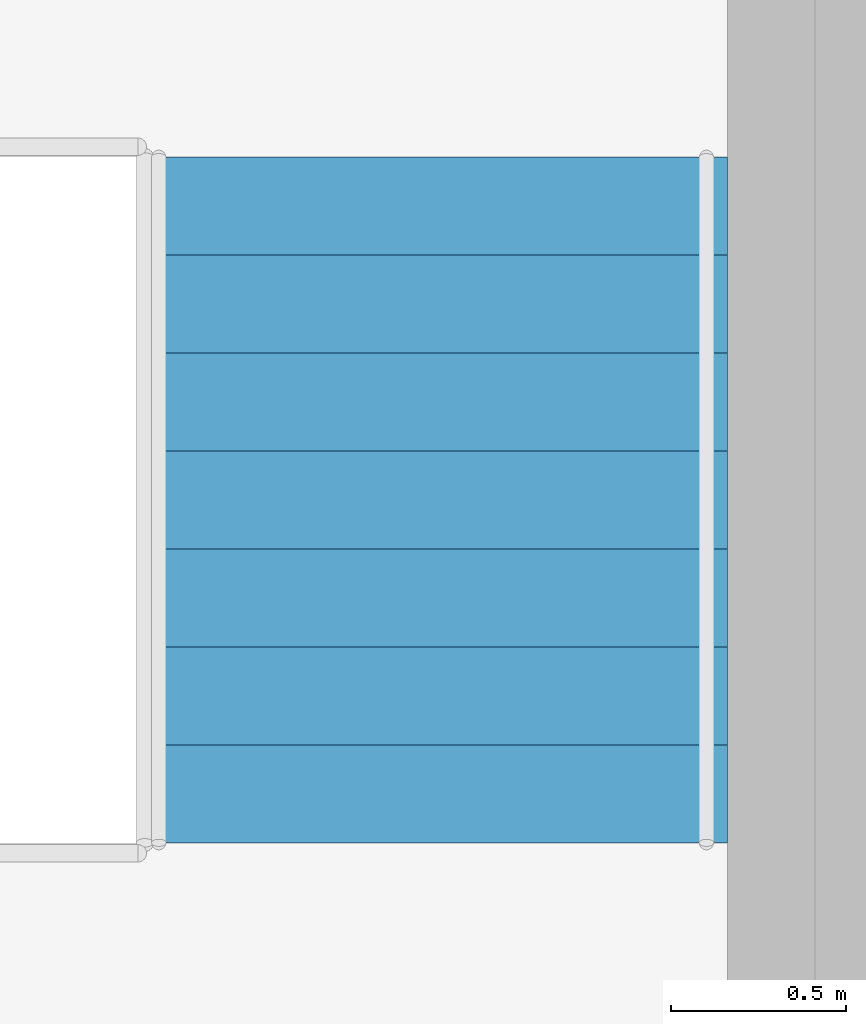
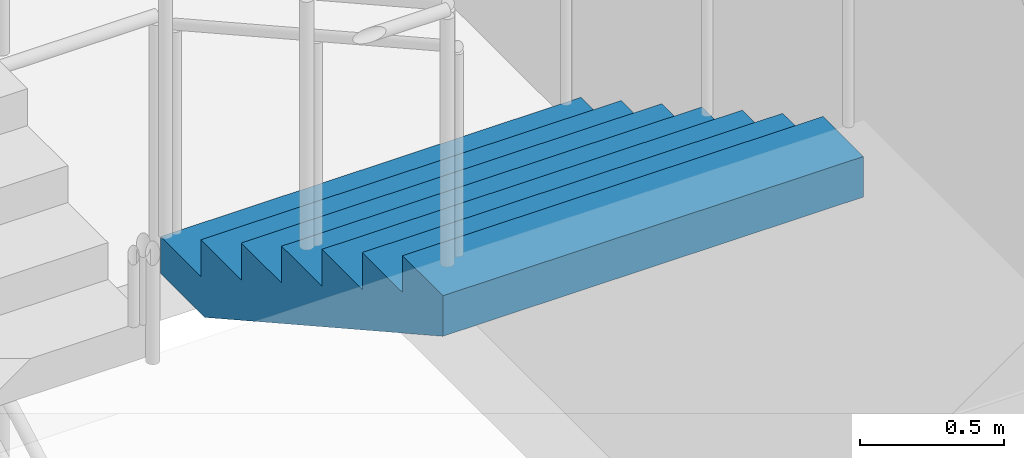
# One storey, part 30 of 37: 1 stair flight, 1 element without a shape of its own.
"""IFC4 building model written with IfcOpenShell, lengths in metres."""

import ifcopenshell
import ifcopenshell.guid

model = None  # the IFC model being written
_history = None  # IfcOwnerHistory: only IFC2X3 demands one
_inside = {}  # id of a spatial element -> (the spatial element, [elements in it])
_under = {}  # id of a project, library or spatial element -> (it, [spatial elements below it])
_declared = {}  # id of a project -> (the project, [libraries it declares])
_typed = {}  # id of a type object -> (the type object, [elements of that type])
_made_of = {}  # id of a material, layer set ... -> (it, [elements and type objects made of it])


def new_model(schema):
    """Start an empty IFC model of exactly this schema.

    Asked for "IFC4X3", IfcOpenShell would pick the latest addendum, in which some entities
    have other attributes; the version numbers below select the first issue.
    IFC2X3 requires an IfcOwnerHistory on every rooted entity: one is made here for all.
    """
    global model, _history
    if schema == "IFC4X3":
        model = ifcopenshell.file(schema_version=(4, 3, 0, 0))
    else:
        model = ifcopenshell.file(schema=schema)
    _inside.clear()
    _under.clear()
    _declared.clear()
    _typed.clear()
    _made_of.clear()
    _history = None
    if model.schema == "IFC2X3":
        org = make("IfcOrganization", Name="unknown")
        user = make(
            "IfcPersonAndOrganization",
            ThePerson=make("IfcPerson", FamilyName="unknown"),
            TheOrganization=org,
        )
        app = make(
            "IfcApplication",
            ApplicationDeveloper=org,
            Version="unknown",
            ApplicationFullName="unknown",
            ApplicationIdentifier="unknown",
        )
        _history = make(
            "IfcOwnerHistory",
            OwningUser=user,
            OwningApplication=app,
            ChangeAction="ADDED",
            CreationDate=0,
        )
    return model


def make(cls, **values):
    """One entity of the class cls with the attributes given. An attribute that is None is left unset."""
    return model.create_entity(
        cls, **{name: value for name, value in values.items() if value is not None}
    )


def rooted(cls, **values):
    """An entity with a GlobalId (a new one), such as an element, a storey or a relation."""
    return make(cls, GlobalId=ifcopenshell.guid.new(), OwnerHistory=_history, **values)


def si_unit(unit_type, name, prefix=None):
    """IfcSIUnit, for example si_unit("LENGTHUNIT", "METRE", prefix="MILLI")."""
    return make("IfcSIUnit", UnitType=unit_type, Prefix=prefix, Name=name)


def assignment(units):
    """IfcUnitAssignment: the units of a project."""
    return None if units is None else make("IfcUnitAssignment", Units=units)


def point(xyz):
    """IfcCartesianPoint."""
    return None if xyz is None else make("IfcCartesianPoint", Coordinates=xyz)


def direction(xyz):
    """IfcDirection."""
    return None if xyz is None else make("IfcDirection", DirectionRatios=xyz)


def frame(location, z_axis=None, x_axis=None):
    """IfcAxis2Placement3D, a coordinate frame: its origin and axes. An axis left out is left unset."""
    return make(
        "IfcAxis2Placement3D",
        Location=point(location),
        Axis=direction(z_axis),
        RefDirection=direction(x_axis),
    )


def origin():
    """The frame at (0, 0, 0) with its axes left unset."""
    return frame((0.0, 0.0, 0.0))


def place(relative_to, where):
    """IfcLocalPlacement: puts the frame where relative to a parent placement (None: the world)."""
    return make(
        "IfcLocalPlacement", PlacementRelTo=relative_to, RelativePlacement=where
    )


def context(
    kind, dimensions, precision=None, world=None, true_north=None, identifier=None
):
    """IfcGeometricRepresentationContext, for example the 3D "Model" context."""
    return make(
        "IfcGeometricRepresentationContext",
        ContextIdentifier=identifier,
        ContextType=kind,
        CoordinateSpaceDimension=dimensions,
        Precision=precision,
        WorldCoordinateSystem=world,
        TrueNorth=true_north,
    )


def subcontext(parent, identifier, kind, view, scale=None):
    """IfcGeometricRepresentationSubContext, for example "Body" below "Model"."""
    return make(
        "IfcGeometricRepresentationSubContext",
        ContextIdentifier=identifier,
        ContextType=kind,
        ParentContext=parent,
        TargetScale=scale,
        TargetView=view,
    )


def project(units=None, contexts=None):
    """IfcProject with its units and contexts."""
    return rooted(
        "IfcProject",
        Name="project",
        RepresentationContexts=contexts,
        UnitsInContext=assignment(units),
    )


def spatial(cls, under=None, at=None, **own):
    """A site, building, storey or space (cls), placed at a placement, below another one or the project."""
    s = rooted(cls, ObjectPlacement=at, **own)
    if under is not None:
        _under.setdefault(under.id(), (under, []))[1].append(s)
    return s


def point_list(points):
    """IfcCartesianPointList2D or 3D."""
    cls = (
        "IfcCartesianPointList2D" if len(points[0]) == 2 else "IfcCartesianPointList3D"
    )
    return make(cls, CoordList=points)


def triangles(points, corners, closed=None, point_numbers=None):
    """IfcTriangulatedFaceSet: each triangle names its three corners, points numbered from 1."""
    return make(
        "IfcTriangulatedFaceSet",
        Coordinates=point_list(points),
        Closed=closed,
        CoordIndex=corners,
        PnIndex=point_numbers,
    )


def shape(context_of_items, identifier, shape_type, items):
    """IfcShapeRepresentation: the items that make up one representation, for example the "Body"."""
    return make(
        "IfcShapeRepresentation",
        ContextOfItems=context_of_items,
        RepresentationIdentifier=identifier,
        RepresentationType=shape_type,
        Items=items,
    )


def material(Name=None, Category=None):
    """IfcMaterial."""
    return make("IfcMaterial", Name=Name, Category=Category)


def made_of(thing, what):
    """Note that an element or type object is made of a material, layer set ...; save() writes the relation."""
    if what is not None:
        _made_of.setdefault(what.id(), (what, []))[1].append(thing)
    return thing


def type_object(cls, material=None, **own):
    """A type object (cls), such as IfcWallType, which elements share."""
    return made_of(rooted(cls, **own), material)


def element(
    cls,
    number,
    at=None,
    inside=None,
    cuts=None,
    type_object=None,
    material=None,
    context=None,
    identifier="Body",
    shape_type=None,
    held_by="IfcProductDefinitionShape",
    body=None,
    shapes=None,
    **own,
):
    """One element of the class cls, such as IfcWall. Its Tag is "e" and its number.

    at: its placement. inside: the storey or other place that contains it. cuts: it is an
    opening in that element (IfcRelVoidsElement). A single representation is given by context,
    identifier, shape_type and body (its items); several are given by shapes. held_by: the class
    of the entity that holds the representations. save() writes the other relations.
    """
    e = rooted(cls, Tag="e%d" % number, ObjectPlacement=at, **own)
    if body is not None:
        shapes = [shape(context, identifier, shape_type, body)]
    if shapes is not None:
        e.Representation = make(held_by, Representations=shapes)
    if inside is not None:
        _inside.setdefault(inside.id(), (inside, []))[1].append(e)
    if cuts is not None:
        rooted(
            "IfcRelVoidsElement", RelatingBuildingElement=cuts, RelatedOpeningElement=e
        )
    if type_object is not None:
        _typed.setdefault(type_object.id(), (type_object, []))[1].append(e)
    return made_of(e, material)


def aggregate(whole, parts):
    """IfcRelAggregates: a whole, such as a stair, and the parts it consists of."""
    return rooted("IfcRelAggregates", RelatingObject=whole, RelatedObjects=parts)


def save(model, path):
    """Write the relations noted so far, then the file.

    IfcRelAggregates (storeys below a building ...), IfcRelContainedInSpatialStructure (elements
    in a storey), IfcRelDefinesByType, IfcRelAssociatesMaterial and IfcRelDeclares: one each for
    every whole, place, type object, material and project.
    """
    for whole, parts in _under.values():
        aggregate(whole, parts)
    for where, things in _inside.values():
        rooted(
            "IfcRelContainedInSpatialStructure",
            RelatedElements=things,
            RelatingStructure=where,
        )
    for kind, things in _typed.values():
        rooted("IfcRelDefinesByType", RelatedObjects=things, RelatingType=kind)
    for what, things in _made_of.values():
        rooted("IfcRelAssociatesMaterial", RelatedObjects=things, RelatingMaterial=what)
    for by, libraries in _declared.values():
        rooted("IfcRelDeclares", RelatingContext=by, RelatedDefinitions=libraries)
    model.write(path)


model = new_model("IFC4")

# Units and contexts
model_context = context("Model", 3, precision=1e-05, world=origin(), true_north=direction((0.0, 1.0)))
body_context = subcontext(model_context, "Body", "Model", "MODEL_VIEW")
ifc_project = project(units=[si_unit("LENGTHUNIT", "METRE"), si_unit("AREAUNIT", "SQUARE_METRE"), si_unit("VOLUMEUNIT", "CUBIC_METRE"), si_unit("PLANEANGLEUNIT", "RADIAN"), si_unit("MASSUNIT", "GRAM", prefix="KILO")], contexts=[model_context])

# Site, building, storey
site_placement = place(None, origin())
site = spatial("IfcSite", under=ifc_project, at=site_placement, CompositionType="ELEMENT")
building_placement = place(site_placement, origin())
building = spatial("IfcBuilding", under=site, at=building_placement, Name="Orbita Commons", CompositionType="ELEMENT")
storey_placement = place(building_placement, frame((0.0, 0.0, 6.0)))
storey = spatial("IfcBuildingStorey", under=building, at=storey_placement, Name="L01", CompositionType="ELEMENT", Elevation=6.0)

# Stair, stair flight
ifc_material_1 = material(Name="Precast concrete C40/50", Category="concrete")
stair_type = type_object("IfcStairType", Name="Podium exit stair 4 flights 8 risers 156", PredefinedType="HALF_TURN_STAIR", material=ifc_material_1)
stair_placement = place(storey_placement, origin())
stair = element("IfcStair", 1, at=stair_placement, inside=storey, type_object=stair_type, Name="Podium exit stair PS1 L01", PredefinedType="HALF_TURN_STAIR")
ifc_material_2 = material(Name="Precast concrete C40/50", Category="concrete")
stair_flight_type = type_object("IfcStairFlightType", Name="Podium stair flight 8 risers 156 x 1685", PredefinedType="STRAIGHT", material=ifc_material_2)
stair_flight_placement = place(storey_placement, frame((10.4326171875, 31.780029296875, 1.25), z_axis=(0.0, 0.0, 1.0), x_axis=(0.0, -1.0, 0.0)))
stair_flight = element("IfcStairFlight", 2, at=stair_flight_placement, type_object=stair_flight_type, Name="PS1 flight 2", NumberOfRisers=8, NumberOfTreads=7, PredefinedType="STRAIGHT", RiserHeight=0.15625, TreadLength=0.28, context=body_context, shape_type="Tessellation", body=[
    triangles([(0.0, 0.842529, 0.0), (0.0, 0.842529, 0.019531), (0.0, 0.702108, 0.019531), (0.0, 0.702108, 0.0), (0.0, 0.561686, 0.019531), (0.0, 0.561686, 0.0), (0.0, 0.421265, 0.019531), (0.0, 0.421265, 0.0), (0.0, 0.280843, 0.019531), (0.0, 0.280843, 0.0), (0.0, 0.140422, 0.019531), (0.0, 0.140422, 0.0), (0.0, 0.0, 0.019531), (0.0, 0.0, 0.0), (0.0, -0.140422, 0.019531), (0.0, -0.140422, 0.0), (0.0, -0.280843, 0.019531), (0.0, -0.280843, 0.0), (0.0, -0.421265, 0.019531), (0.0, -0.421265, 0.0), (0.0, -0.561686, 0.019531), (0.0, -0.561686, 0.0), (0.0, -0.702108, 0.019531), (0.0, -0.702108, 0.0), (0.0, -0.842529, 0.019531), (0.0, -0.842529, 0.0), (0.0, 0.842529, 0.039062), (0.0, 0.702108, 0.039062), (0.0, 0.561686, 0.039062), (0.0, 0.421265, 0.039062), (0.0, 0.280843, 0.039062), (0.0, 0.140422, 0.039062), (0.0, 0.0, 0.039062), (0.0, -0.140422, 0.039062), (0.0, -0.280843, 0.039062), (0.0, -0.421265, 0.039062), (0.0, -0.561686, 0.039062), (0.0, -0.702108, 0.039062), (0.0, -0.842529, 0.039062), (0.0, 0.842529, 0.058594), (0.0, 0.702108, 0.058594), (0.0, 0.561686, 0.058594), (0.0, 0.421265, 0.058594), (0.0, 0.280843, 0.058594), (0.0, 0.140422, 0.058594), (0.0, 0.0, 0.058594), (0.0, -0.140422, 0.058594), (0.0, -0.280843, 0.058594), (0.0, -0.421265, 0.058594), (0.0, -0.561686, 0.058594), (0.0, -0.702108, 0.058594), (0.0, -0.842529, 0.058594), (0.0, 0.842529, 0.078125), (0.0, 0.702108, 0.078125), (0.0, 0.561686, 0.078125), (0.0, 0.421265, 0.078125), (0.0, 0.280843, 0.078125), (0.0, 0.140422, 0.078125), (0.0, 0.0, 0.078125), (0.0, -0.140422, 0.078125), (0.0, -0.280843, 0.078125), (0.0, -0.421265, 0.078125), (0.0, -0.561686, 0.078125), (0.0, -0.702108, 0.078125), (0.0, -0.842529, 0.078125), (0.0, 0.842529, 0.097656), (0.0, 0.702108, 0.097656), (0.0, 0.561686, 0.097656), (0.0, 0.421265, 0.097656), (0.0, 0.280843, 0.097656), (0.0, 0.140422, 0.097656), (0.0, 0.0, 0.097656), (0.0, -0.140422, 0.097656), (0.0, -0.280843, 0.097656), (0.0, -0.421265, 0.097656), (0.0, -0.561686, 0.097656), (0.0, -0.702108, 0.097656), (0.0, -0.842529, 0.097656), (0.0, 0.842529, 0.117188), (0.0, 0.702108, 0.117188), (0.0, 0.561686, 0.117188), (0.0, 0.421265, 0.117188), (0.0, 0.280843, 0.117188), (0.0, 0.140422, 0.117188), (0.0, 0.0, 0.117188), (0.0, -0.140422, 0.117188), (0.0, -0.280843, 0.117188), (0.0, -0.421265, 0.117188), (0.0, -0.561686, 0.117188), (0.0, -0.702108, 0.117188), (0.0, -0.842529, 0.117188), (0.0, 0.842529, 0.136719), (0.0, 0.702108, 0.136719), (0.0, 0.561686, 0.136719), (0.0, 0.421265, 0.136719), (0.0, 0.280843, 0.136719), (0.0, 0.140422, 0.136719), (0.0, 0.0, 0.136719), (0.0, -0.140422, 0.136719), (0.0, -0.280843, 0.136719), (0.0, -0.421265, 0.136719), (0.0, -0.561686, 0.136719), (0.0, -0.702108, 0.136719), (0.0, -0.842529, 0.136719), (0.0, 0.842529, 0.15625), (0.0, 0.702108, 0.15625), (0.0, 0.561686, 0.15625), (0.0, 0.421265, 0.15625), (0.0, 0.280843, 0.15625), (0.0, 0.140422, 0.15625), (0.0, 0.0, 0.15625), (0.0, -0.140422, 0.15625), (0.0, -0.280843, 0.15625), (0.0, -0.421265, 0.15625), (0.0, -0.561686, 0.15625), (0.0, -0.702108, 0.15625), (0.0, -0.842529, 0.15625), (0.28, 0.842529, 0.15625), (0.28, 0.702108, 0.15625), (0.28, 0.561686, 0.15625), (0.28, 0.421265, 0.15625), (0.28, 0.280843, 0.15625), (0.28, 0.140422, 0.15625), (0.28, 0.0, 0.15625), (0.28, -0.140422, 0.15625), (0.28, -0.280843, 0.15625), (0.28, -0.421265, 0.15625), (0.28, -0.561686, 0.15625), (0.28, -0.702108, 0.15625), (0.28, -0.842529, 0.15625), (0.28, 0.842529, 0.3125), (0.28, 0.702108, 0.3125), (0.28, 0.561686, 0.3125), (0.28, 0.421265, 0.3125), (0.28, 0.280843, 0.3125), (0.28, 0.140422, 0.3125), (0.28, 0.0, 0.3125), (0.28, -0.140422, 0.3125), (0.28, -0.280843, 0.3125), (0.28, -0.421265, 0.3125), (0.28, -0.561686, 0.3125), (0.28, -0.702108, 0.3125), (0.28, -0.842529, 0.3125), (0.56, 0.842529, 0.3125), (0.56, 0.702108, 0.3125), (0.56, 0.561686, 0.3125), (0.56, 0.421265, 0.3125), (0.56, 0.280843, 0.3125), (0.56, 0.140422, 0.3125), (0.56, 0.0, 0.3125), (0.56, -0.140422, 0.3125), (0.56, -0.280843, 0.3125), (0.56, -0.421265, 0.3125), (0.56, -0.561686, 0.3125), (0.56, -0.702108, 0.3125), (0.56, -0.842529, 0.3125), (0.56, 0.842529, 0.46875), (0.56, 0.702108, 0.46875), (0.56, 0.561686, 0.46875), (0.56, 0.421265, 0.46875), (0.56, 0.280843, 0.46875), (0.56, 0.140422, 0.46875), (0.56, 0.0, 0.46875), (0.56, -0.140422, 0.46875), (0.56, -0.280843, 0.46875), (0.56, -0.421265, 0.46875), (0.56, -0.561686, 0.46875), (0.56, -0.702108, 0.46875), (0.56, -0.842529, 0.46875), (0.84, 0.842529, 0.46875), (0.84, 0.702108, 0.46875), (0.84, 0.561686, 0.46875), (0.84, 0.421265, 0.46875), (0.84, 0.280843, 0.46875), (0.84, 0.140422, 0.46875), (0.84, 0.0, 0.46875), (0.84, -0.140422, 0.46875), (0.84, -0.280843, 0.46875), (0.84, -0.421265, 0.46875), (0.84, -0.561686, 0.46875), (0.84, -0.702108, 0.46875), (0.84, -0.842529, 0.46875), (0.84, 0.842529, 0.625), (0.84, 0.702108, 0.625), (0.84, 0.561686, 0.625), (0.84, 0.421265, 0.625), (0.84, 0.280843, 0.625), (0.84, 0.140422, 0.625), (0.84, 0.0, 0.625), (0.84, -0.140422, 0.625), (0.84, -0.280843, 0.625), (0.84, -0.421265, 0.625), (0.84, -0.561686, 0.625), (0.84, -0.702108, 0.625), (0.84, -0.842529, 0.625), (1.12, 0.842529, 0.625), (1.12, 0.702108, 0.625), (1.12, 0.561686, 0.625), (1.12, 0.421265, 0.625), (1.12, 0.280843, 0.625), (1.12, 0.140422, 0.625), (1.12, 0.0, 0.625), (1.12, -0.140422, 0.625), (1.12, -0.280843, 0.625), (1.12, -0.421265, 0.625), (1.12, -0.561686, 0.625), (1.12, -0.702108, 0.625), (1.12, -0.842529, 0.625), (1.12, 0.842529, 0.78125), (1.12, 0.702108, 0.78125), (1.12, 0.561686, 0.78125), (1.12, 0.421265, 0.78125), (1.12, 0.280843, 0.78125), (1.12, 0.140422, 0.78125), (1.12, 0.0, 0.78125), (1.12, -0.140422, 0.78125), (1.12, -0.280843, 0.78125), (1.12, -0.421265, 0.78125), (1.12, -0.561686, 0.78125), (1.12, -0.702108, 0.78125), (1.12, -0.842529, 0.78125), (1.4, 0.842529, 0.78125), (1.4, 0.702108, 0.78125), (1.4, 0.561686, 0.78125), (1.4, 0.421265, 0.78125), (1.4, 0.280843, 0.78125), (1.4, 0.140422, 0.78125), (1.4, 0.0, 0.78125), (1.4, -0.140422, 0.78125), (1.4, -0.280843, 0.78125), (1.4, -0.421265, 0.78125), (1.4, -0.561686, 0.78125), (1.4, -0.702108, 0.78125), (1.4, -0.842529, 0.78125), (1.4, 0.842529, 0.9375), (1.4, 0.702108, 0.9375), (1.4, 0.561686, 0.9375), (1.4, 0.421265, 0.9375), (1.4, 0.280843, 0.9375), (1.4, 0.140422, 0.9375), (1.4, 0.0, 0.9375), (1.4, -0.140422, 0.9375), (1.4, -0.280843, 0.9375), (1.4, -0.421265, 0.9375), (1.4, -0.561686, 0.9375), (1.4, -0.702108, 0.9375), (1.4, -0.842529, 0.9375), (1.68, 0.842529, 0.9375), (1.68, 0.702108, 0.9375), (1.68, 0.561686, 0.9375), (1.68, 0.421265, 0.9375), (1.68, 0.280843, 0.9375), (1.68, 0.140422, 0.9375), (1.68, 0.0, 0.9375), (1.68, -0.140422, 0.9375), (1.68, -0.280843, 0.9375), (1.68, -0.421265, 0.9375), (1.68, -0.561686, 0.9375), (1.68, -0.702108, 0.9375), (1.68, -0.842529, 0.9375), (1.68, 0.842529, 1.09375), (1.68, 0.702108, 1.09375), (1.68, 0.561686, 1.09375), (1.68, 0.421265, 1.09375), (1.68, 0.280843, 1.09375), (1.68, 0.140422, 1.09375), (1.68, 0.0, 1.09375), (1.68, -0.140422, 1.09375), (1.68, -0.280843, 1.09375), (1.68, -0.421265, 1.09375), (1.68, -0.561686, 1.09375), (1.68, -0.702108, 1.09375), (1.68, -0.842529, 1.09375), (1.96, 0.842529, 1.09375), (1.96, 0.702108, 1.09375), (1.96, 0.561686, 1.09375), (1.96, 0.421265, 1.09375), (1.96, 0.280843, 1.09375), (1.96, 0.140422, 1.09375), (1.96, 0.0, 1.09375), (1.96, -0.140422, 1.09375), (1.96, -0.280843, 1.09375), (1.96, -0.421265, 1.09375), (1.96, -0.561686, 1.09375), (1.96, -0.702108, 1.09375), (1.96, -0.842529, 1.09375), (1.96, 0.842529, 1.072292), (1.96, 0.702108, 1.072292), (1.96, 0.561686, 1.072292), (1.96, 0.421265, 1.072292), (1.96, 0.280843, 1.072292), (1.96, 0.140422, 1.072292), (1.96, 0.0, 1.072292), (1.96, -0.140422, 1.072292), (1.96, -0.280843, 1.072292), (1.96, -0.421265, 1.072292), (1.96, -0.561686, 1.072292), (1.96, -0.702108, 1.072292), (1.96, -0.842529, 1.072292), (1.96, 0.842529, 1.050834), (1.96, 0.702108, 1.050834), (1.96, 0.561686, 1.050834), (1.96, 0.421265, 1.050834), (1.96, 0.280843, 1.050834), (1.96, 0.140422, 1.050834), (1.96, 0.0, 1.050834), (1.96, -0.140422, 1.050834), (1.96, -0.280843, 1.050834), (1.96, -0.421265, 1.050834), (1.96, -0.561686, 1.050834), (1.96, -0.702108, 1.050834), (1.96, -0.842529, 1.050834), (1.96, 0.842529, 1.029376), (1.96, 0.702108, 1.029376), (1.96, 0.561686, 1.029376), (1.96, 0.421265, 1.029376), (1.96, 0.280843, 1.029376), (1.96, 0.140422, 1.029376), (1.96, 0.0, 1.029376), (1.96, -0.140422, 1.029376), (1.96, -0.280843, 1.029376), (1.96, -0.421265, 1.029376), (1.96, -0.561686, 1.029376), (1.96, -0.702108, 1.029376), (1.96, -0.842529, 1.029376), (1.96, 0.842529, 1.007919), (1.96, 0.702108, 1.007919), (1.96, 0.561686, 1.007919), (1.96, 0.421265, 1.007919), (1.96, 0.280843, 1.007919), (1.96, 0.140422, 1.007919), (1.96, 0.0, 1.007919), (1.96, -0.140422, 1.007919), (1.96, -0.280843, 1.007919), (1.96, -0.421265, 1.007919), (1.96, -0.561686, 1.007919), (1.96, -0.702108, 1.007919), (1.96, -0.842529, 1.007919), (1.96, 0.842529, 0.986461), (1.96, 0.702108, 0.986461), (1.96, 0.561686, 0.986461), (1.96, 0.421265, 0.986461), (1.96, 0.280843, 0.986461), (1.96, 0.140422, 0.986461), (1.96, 0.0, 0.986461), (1.96, -0.140422, 0.986461), (1.96, -0.280843, 0.986461), (1.96, -0.421265, 0.986461), (1.96, -0.561686, 0.986461), (1.96, -0.702108, 0.986461), (1.96, -0.842529, 0.986461), (1.96, 0.842529, 0.965003), (1.96, 0.702108, 0.965003), (1.96, 0.561686, 0.965003), (1.96, 0.421265, 0.965003), (1.96, 0.280843, 0.965003), (1.96, 0.140422, 0.965003), (1.96, 0.0, 0.965003), (1.96, -0.140422, 0.965003), (1.96, -0.280843, 0.965003), (1.96, -0.421265, 0.965003), (1.96, -0.561686, 0.965003), (1.96, -0.702108, 0.965003), (1.96, -0.842529, 0.965003), (1.96, 0.842529, 0.943545), (1.96, 0.702108, 0.943545), (1.96, 0.561686, 0.943545), (1.96, 0.421265, 0.943545), (1.96, 0.280843, 0.943545), (1.96, 0.140422, 0.943545), (1.96, 0.0, 0.943545), (1.96, -0.140422, 0.943545), (1.96, -0.280843, 0.943545), (1.96, -0.421265, 0.943545), (1.96, -0.561686, 0.943545), (1.96, -0.702108, 0.943545), (1.96, -0.842529, 0.943545), (1.96, 0.842529, 0.922087), (1.96, 0.702108, 0.922087), (1.96, 0.561686, 0.922087), (1.96, 0.421265, 0.922087), (1.96, 0.280843, 0.922087), (1.96, 0.140422, 0.922087), (1.96, 0.0, 0.922087), (1.96, -0.140422, 0.922087), (1.96, -0.280843, 0.922087), (1.96, -0.421265, 0.922087), (1.96, -0.561686, 0.922087), (1.96, -0.702108, 0.922087), (1.96, -0.842529, 0.922087), (0.30762, 0.842529, 0.0), (0.30762, 0.702108, 0.0), (0.30762, 0.561686, 0.0), (0.30762, 0.421265, 0.0), (0.30762, 0.280843, 0.0), (0.30762, 0.140422, 0.0), (0.30762, 0.0, 0.0), (0.30762, -0.140422, 0.0), (0.30762, -0.280843, 0.0), (0.30762, -0.421265, 0.0), (0.30762, -0.561686, 0.0), (0.30762, -0.702108, 0.0), (0.30762, -0.842529, 0.0)], [[3, 2, 1], [4, 3, 1], [5, 3, 4], [6, 5, 4], [7, 5, 6], [8, 7, 6], [9, 7, 8], [10, 9, 8], [11, 9, 10], [12, 11, 10], [13, 11, 12], [14, 13, 12], [15, 13, 14], [16, 15, 14], [17, 15, 16], [18, 17, 16], [19, 17, 18], [20, 19, 18], [21, 19, 20], [22, 21, 20], [23, 21, 22], [24, 23, 22], [25, 23, 24], [26, 25, 24], [28, 27, 2], [3, 28, 2], [29, 28, 3], [5, 29, 3], [30, 29, 5], [7, 30, 5], [31, 30, 7], [9, 31, 7], [32, 31, 9], [11, 32, 9], [33, 32, 11], [13, 33, 11], [34, 33, 13], [15, 34, 13], [35, 34, 15], [17, 35, 15], [36, 35, 17], [19, 36, 17], [37, 36, 19], [21, 37, 19], [38, 37, 21], [23, 38, 21], [39, 38, 23], [25, 39, 23], [41, 40, 27], [28, 41, 27], [42, 41, 28], [29, 42, 28], [43, 42, 29], [30, 43, 29], [44, 43, 30], [31, 44, 30], [45, 44, 31], [32, 45, 31], [46, 45, 32], [33, 46, 32], [47, 46, 33], [34, 47, 33], [48, 47, 34], [35, 48, 34], [49, 48, 35], [36, 49, 35], [50, 49, 36], [37, 50, 36], [51, 50, 37], [38, 51, 37], [52, 51, 38], [39, 52, 38], [54, 53, 40], [41, 54, 40], [55, 54, 41], [42, 55, 41], [56, 55, 42], [43, 56, 42], [57, 56, 43], [44, 57, 43], [58, 57, 44], [45, 58, 44], [59, 58, 45], [46, 59, 45], [60, 59, 46], [47, 60, 46], [61, 60, 47], [48, 61, 47], [62, 61, 48], [49, 62, 48], [63, 62, 49], [50, 63, 49], [64, 63, 50], [51, 64, 50], [65, 64, 51], [52, 65, 51], [67, 66, 53], [54, 67, 53], [68, 67, 54], [55, 68, 54], [69, 68, 55], [56, 69, 55], [70, 69, 56], [57, 70, 56], [71, 70, 57], [58, 71, 57], [72, 71, 58], [59, 72, 58], [73, 72, 59], [60, 73, 59], [74, 73, 60], [61, 74, 60], [75, 74, 61], [62, 75, 61], [76, 75, 62], [63, 76, 62], [77, 76, 63], [64, 77, 63], [78, 77, 64], [65, 78, 64], [80, 79, 66], [67, 80, 66], [81, 80, 67], [68, 81, 67], [82, 81, 68], [69, 82, 68], [83, 82, 69], [70, 83, 69], [84, 83, 70], [71, 84, 70], [85, 84, 71], [72, 85, 71], [86, 85, 72], [73, 86, 72], [87, 86, 73], [74, 87, 73], [88, 87, 74], [75, 88, 74], [89, 88, 75], [76, 89, 75], [90, 89, 76], [77, 90, 76], [91, 90, 77], [78, 91, 77], [93, 92, 79], [80, 93, 79], [94, 93, 80], [81, 94, 80], [95, 94, 81], [82, 95, 81], [96, 95, 82], [83, 96, 82], [97, 96, 83], [84, 97, 83], [98, 97, 84], [85, 98, 84], [99, 98, 85], [86, 99, 85], [100, 99, 86], [87, 100, 86], [101, 100, 87], [88, 101, 87], [102, 101, 88], [89, 102, 88], [103, 102, 89], [90, 103, 89], [104, 103, 90], [91, 104, 90], [106, 105, 92], [93, 106, 92], [107, 106, 93], [94, 107, 93], [108, 107, 94], [95, 108, 94], [109, 108, 95], [96, 109, 95], [110, 109, 96], [97, 110, 96], [111, 110, 97], [98, 111, 97], [112, 111, 98], [99, 112, 98], [113, 112, 99], [100, 113, 99], [114, 113, 100], [101, 114, 100], [115, 114, 101], [102, 115, 101], [116, 115, 102], [103, 116, 102], [117, 116, 103], [104, 117, 103], [119, 118, 105], [106, 119, 105], [120, 119, 106], [107, 120, 106], [121, 120, 107], [108, 121, 107], [122, 121, 108], [109, 122, 108], [123, 122, 109], [110, 123, 109], [124, 123, 110], [111, 124, 110], [125, 124, 111], [112, 125, 111], [126, 125, 112], [113, 126, 112], [127, 126, 113], [114, 127, 113], [128, 127, 114], [115, 128, 114], [129, 128, 115], [116, 129, 115], [130, 129, 116], [117, 130, 116], [132, 131, 118], [119, 132, 118], [133, 132, 119], [120, 133, 119], [134, 133, 120], [121, 134, 120], [135, 134, 121], [122, 135, 121], [136, 135, 122], [123, 136, 122], [137, 136, 123], [124, 137, 123], [138, 137, 124], [125, 138, 124], [139, 138, 125], [126, 139, 125], [140, 139, 126], [127, 140, 126], [141, 140, 127], [128, 141, 127], [142, 141, 128], [129, 142, 128], [143, 142, 129], [130, 143, 129], [145, 144, 131], [132, 145, 131], [146, 145, 132], [133, 146, 132], [147, 146, 133], [134, 147, 133], [148, 147, 134], [135, 148, 134], [149, 148, 135], [136, 149, 135], [150, 149, 136], [137, 150, 136], [151, 150, 137], [138, 151, 137], [152, 151, 138], [139, 152, 138], [153, 152, 139], [140, 153, 139], [154, 153, 140], [141, 154, 140], [155, 154, 141], [142, 155, 141], [156, 155, 142], [143, 156, 142], [158, 157, 144], [145, 158, 144], [159, 158, 145], [146, 159, 145], [160, 159, 146], [147, 160, 146], [161, 160, 147], [148, 161, 147], [162, 161, 148], [149, 162, 148], [163, 162, 149], [150, 163, 149], [164, 163, 150], [151, 164, 150], [165, 164, 151], [152, 165, 151], [166, 165, 152], [153, 166, 152], [167, 166, 153], [154, 167, 153], [168, 167, 154], [155, 168, 154], [169, 168, 155], [156, 169, 155], [171, 170, 157], [158, 171, 157], [172, 171, 158], [159, 172, 158], [173, 172, 159], [160, 173, 159], [174, 173, 160], [161, 174, 160], [175, 174, 161], [162, 175, 161], [176, 175, 162], [163, 176, 162], [177, 176, 163], [164, 177, 163], [178, 177, 164], [165, 178, 164], [179, 178, 165], [166, 179, 165], [180, 179, 166], [167, 180, 166], [181, 180, 167], [168, 181, 167], [182, 181, 168], [169, 182, 168], [184, 183, 170], [171, 184, 170], [185, 184, 171], [172, 185, 171], [186, 185, 172], [173, 186, 172], [187, 186, 173], [174, 187, 173], [188, 187, 174], [175, 188, 174], [189, 188, 175], [176, 189, 175], [190, 189, 176], [177, 190, 176], [191, 190, 177], [178, 191, 177], [192, 191, 178], [179, 192, 178], [193, 192, 179], [180, 193, 179], [194, 193, 180], [181, 194, 180], [195, 194, 181], [182, 195, 181], [197, 196, 183], [184, 197, 183], [198, 197, 184], [185, 198, 184], [199, 198, 185], [186, 199, 185], [200, 199, 186], [187, 200, 186], [201, 200, 187], [188, 201, 187], [202, 201, 188], [189, 202, 188], [203, 202, 189], [190, 203, 189], [204, 203, 190], [191, 204, 190], [205, 204, 191], [192, 205, 191], [206, 205, 192], [193, 206, 192], [207, 206, 193], [194, 207, 193], [208, 207, 194], [195, 208, 194], [210, 209, 196], [197, 210, 196], [211, 210, 197], [198, 211, 197], [212, 211, 198], [199, 212, 198], [213, 212, 199], [200, 213, 199], [214, 213, 200], [201, 214, 200], [215, 214, 201], [202, 215, 201], [216, 215, 202], [203, 216, 202], [217, 216, 203], [204, 217, 203], [218, 217, 204], [205, 218, 204], [219, 218, 205], [206, 219, 205], [220, 219, 206], [207, 220, 206], [221, 220, 207], [208, 221, 207], [223, 222, 209], [210, 223, 209], [224, 223, 210], [211, 224, 210], [225, 224, 211], [212, 225, 211], [226, 225, 212], [213, 226, 212], [227, 226, 213], [214, 227, 213], [228, 227, 214], [215, 228, 214], [229, 228, 215], [216, 229, 215], [230, 229, 216], [217, 230, 216], [231, 230, 217], [218, 231, 217], [232, 231, 218], [219, 232, 218], [233, 232, 219], [220, 233, 219], [234, 233, 220], [221, 234, 220], [236, 235, 222], [223, 236, 222], [237, 236, 223], [224, 237, 223], [238, 237, 224], [225, 238, 224], [239, 238, 225], [226, 239, 225], [240, 239, 226], [227, 240, 226], [241, 240, 227], [228, 241, 227], [242, 241, 228], [229, 242, 228], [243, 242, 229], [230, 243, 229], [244, 243, 230], [231, 244, 230], [245, 244, 231], [232, 245, 231], [246, 245, 232], [233, 246, 232], [247, 246, 233], [234, 247, 233], [249, 248, 235], [236, 249, 235], [250, 249, 236], [237, 250, 236], [251, 250, 237], [238, 251, 237], [252, 251, 238], [239, 252, 238], [253, 252, 239], [240, 253, 239], [254, 253, 240], [241, 254, 240], [255, 254, 241], [242, 255, 241], [256, 255, 242], [243, 256, 242], [257, 256, 243], [244, 257, 243], [258, 257, 244], [245, 258, 244], [259, 258, 245], [246, 259, 245], [260, 259, 246], [247, 260, 246], [262, 261, 248], [249, 262, 248], [263, 262, 249], [250, 263, 249], [264, 263, 250], [251, 264, 250], [265, 264, 251], [252, 265, 251], [266, 265, 252], [253, 266, 252], [267, 266, 253], [254, 267, 253], [268, 267, 254], [255, 268, 254], [269, 268, 255], [256, 269, 255], [270, 269, 256], [257, 270, 256], [271, 270, 257], [258, 271, 257], [272, 271, 258], [259, 272, 258], [273, 272, 259], [260, 273, 259], [275, 274, 261], [262, 275, 261], [276, 275, 262], [263, 276, 262], [277, 276, 263], [264, 277, 263], [278, 277, 264], [265, 278, 264], [279, 278, 265], [266, 279, 265], [280, 279, 266], [267, 280, 266], [281, 280, 267], [268, 281, 267], [282, 281, 268], [269, 282, 268], [283, 282, 269], [270, 283, 269], [284, 283, 270], [271, 284, 270], [285, 284, 271], [272, 285, 271], [286, 285, 272], [273, 286, 272], [288, 287, 274], [275, 288, 274], [289, 288, 275], [276, 289, 275], [290, 289, 276], [277, 290, 276], [291, 290, 277], [278, 291, 277], [292, 291, 278], [279, 292, 278], [293, 292, 279], [280, 293, 279], [294, 293, 280], [281, 294, 280], [295, 294, 281], [282, 295, 281], [296, 295, 282], [283, 296, 282], [297, 296, 283], [284, 297, 283], [298, 297, 284], [285, 298, 284], [299, 298, 285], [286, 299, 285], [301, 300, 287], [288, 301, 287], [302, 301, 288], [289, 302, 288], [303, 302, 289], [290, 303, 289], [304, 303, 290], [291, 304, 290], [305, 304, 291], [292, 305, 291], [306, 305, 292], [293, 306, 292], [307, 306, 293], [294, 307, 293], [308, 307, 294], [295, 308, 294], [309, 308, 295], [296, 309, 295], [310, 309, 296], [297, 310, 296], [311, 310, 297], [298, 311, 297], [312, 311, 298], [299, 312, 298], [314, 313, 300], [301, 314, 300], [315, 314, 301], [302, 315, 301], [316, 315, 302], [303, 316, 302], [317, 316, 303], [304, 317, 303], [318, 317, 304], [305, 318, 304], [319, 318, 305], [306, 319, 305], [320, 319, 306], [307, 320, 306], [321, 320, 307], [308, 321, 307], [322, 321, 308], [309, 322, 308], [323, 322, 309], [310, 323, 309], [324, 323, 310], [311, 324, 310], [325, 324, 311], [312, 325, 311], [327, 326, 313], [314, 327, 313], [328, 327, 314], [315, 328, 314], [329, 328, 315], [316, 329, 315], [330, 329, 316], [317, 330, 316], [331, 330, 317], [318, 331, 317], [332, 331, 318], [319, 332, 318], [333, 332, 319], [320, 333, 319], [334, 333, 320], [321, 334, 320], [335, 334, 321], [322, 335, 321], [336, 335, 322], [323, 336, 322], [337, 336, 323], [324, 337, 323], [338, 337, 324], [325, 338, 324], [340, 339, 326], [327, 340, 326], [341, 340, 327], [328, 341, 327], [342, 341, 328], [329, 342, 328], [343, 342, 329], [330, 343, 329], [344, 343, 330], [331, 344, 330], [345, 344, 331], [332, 345, 331], [346, 345, 332], [333, 346, 332], [347, 346, 333], [334, 347, 333], [348, 347, 334], [335, 348, 334], [349, 348, 335], [336, 349, 335], [350, 349, 336], [337, 350, 336], [351, 350, 337], [338, 351, 337], [353, 352, 339], [340, 353, 339], [354, 353, 340], [341, 354, 340], [355, 354, 341], [342, 355, 341], [356, 355, 342], [343, 356, 342], [357, 356, 343], [344, 357, 343], [358, 357, 344], [345, 358, 344], [359, 358, 345], [346, 359, 345], [360, 359, 346], [347, 360, 346], [361, 360, 347], [348, 361, 347], [362, 361, 348], [349, 362, 348], [363, 362, 349], [350, 363, 349], [364, 363, 350], [351, 364, 350], [366, 365, 352], [353, 366, 352], [367, 366, 353], [354, 367, 353], [368, 367, 354], [355, 368, 354], [369, 368, 355], [356, 369, 355], [370, 369, 356], [357, 370, 356], [371, 370, 357], [358, 371, 357], [372, 371, 358], [359, 372, 358], [373, 372, 359], [360, 373, 359], [374, 373, 360], [361, 374, 360], [375, 374, 361], [362, 375, 361], [376, 375, 362], [363, 376, 362], [377, 376, 363], [364, 377, 363], [379, 378, 365], [366, 379, 365], [380, 379, 366], [367, 380, 366], [381, 380, 367], [368, 381, 367], [382, 381, 368], [369, 382, 368], [383, 382, 369], [370, 383, 369], [384, 383, 370], [371, 384, 370], [385, 384, 371], [372, 385, 371], [386, 385, 372], [373, 386, 372], [387, 386, 373], [374, 387, 373], [388, 387, 374], [375, 388, 374], [389, 388, 375], [376, 389, 375], [390, 389, 376], [377, 390, 376], [392, 391, 378], [379, 392, 378], [393, 392, 379], [380, 393, 379], [394, 393, 380], [381, 394, 380], [395, 394, 381], [382, 395, 381], [396, 395, 382], [383, 396, 382], [397, 396, 383], [384, 397, 383], [398, 397, 384], [385, 398, 384], [399, 398, 385], [386, 399, 385], [400, 399, 386], [387, 400, 386], [401, 400, 387], [388, 401, 387], [402, 401, 388], [389, 402, 388], [403, 402, 389], [390, 403, 389], [4, 1, 391], [392, 4, 391], [6, 4, 392], [393, 6, 392], [8, 6, 393], [394, 8, 393], [10, 8, 394], [395, 10, 394], [12, 10, 395], [396, 12, 395], [14, 12, 396], [397, 14, 396], [16, 14, 397], [398, 16, 397], [18, 16, 398], [399, 18, 398], [20, 18, 399], [400, 20, 399], [22, 20, 400], [401, 22, 400], [24, 22, 401], [402, 24, 401], [26, 24, 402], [403, 26, 402], [378, 391, 1], [26, 403, 390], [365, 378, 1], [26, 390, 377], [352, 365, 1], [26, 377, 364], [339, 352, 1], [26, 364, 351], [326, 339, 1], [26, 351, 338], [313, 326, 1], [26, 338, 325], [300, 313, 1], [26, 325, 312], [287, 300, 1], [26, 312, 299], [261, 274, 287], [299, 286, 273], [248, 261, 287], [299, 273, 260], [222, 235, 248], [260, 247, 234], [222, 248, 287], [299, 260, 234], [196, 209, 222], [234, 221, 208], [196, 222, 287], [299, 234, 208], [170, 183, 196], [208, 195, 182], [170, 196, 287], [299, 208, 182], [144, 157, 170], [182, 169, 156], [144, 170, 287], [299, 182, 156], [118, 131, 144], [156, 143, 130], [118, 144, 287], [299, 156, 130], [118, 287, 1], [26, 299, 130], [92, 105, 118], [130, 117, 104], [79, 92, 118], [130, 104, 91], [66, 79, 118], [130, 91, 78], [53, 66, 118], [130, 78, 65], [40, 53, 118], [130, 65, 52], [27, 40, 118], [130, 52, 39], [2, 27, 118], [130, 39, 25], [1, 2, 118], [130, 25, 26]], closed=True),
])
aggregate(stair, [stair_flight])

save(model, "model.ifc")
